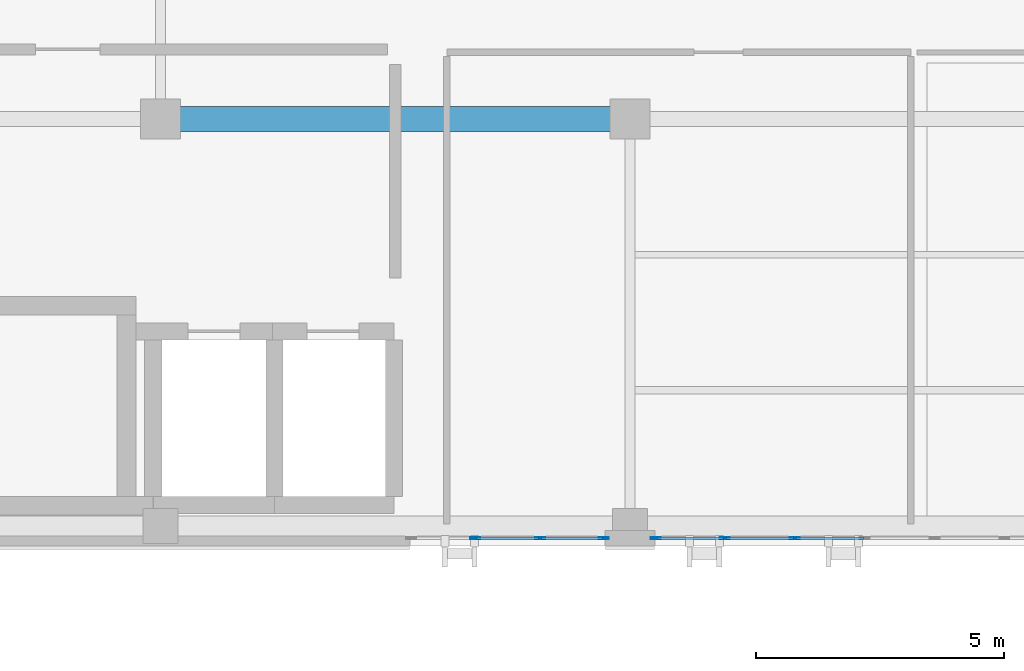
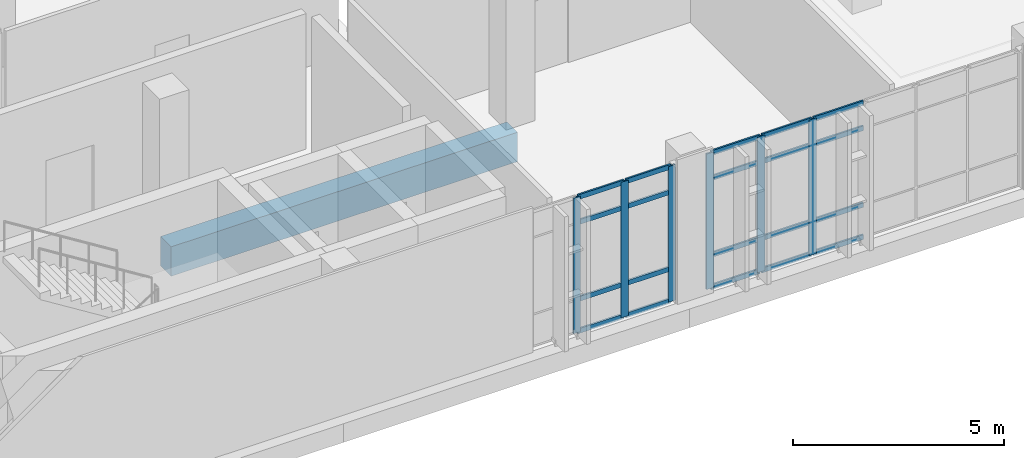
# One storey, part 11 of 193: 26 members, 1 beam, 2 elements without a shape of their own.
"""IFC4 building model written with IfcOpenShell, lengths in metres."""

from ifc_helpers import new_model, si_unit, direction, frame, origin, origin_2d, place, context, subcontext, project, spatial, rectangle, hollow_rectangle, extrude, material, layer, layer_set, material_profile, profile_set, type_object, element, aggregate, save


model = new_model("IFC4")

# Units and contexts
model_context = context("Model", 3, precision=1e-05, world=origin(), true_north=direction((0.0, 1.0)))
body_context = subcontext(model_context, "Body", "Model", "MODEL_VIEW")
ifc_project = project(units=[si_unit("LENGTHUNIT", "METRE"), si_unit("AREAUNIT", "SQUARE_METRE"), si_unit("VOLUMEUNIT", "CUBIC_METRE"), si_unit("PLANEANGLEUNIT", "RADIAN"), si_unit("MASSUNIT", "GRAM", prefix="KILO")], contexts=[model_context])

# Site, building, storey
site_placement = place(None, origin())
site = spatial("IfcSite", under=ifc_project, at=site_placement, CompositionType="ELEMENT")
building_placement = place(site_placement, origin())
building = spatial("IfcBuilding", under=site, at=building_placement, Name="Qalavern Law Courts", CompositionType="ELEMENT")
storey_placement = place(building_placement, frame((0.0, 0.0, 10.199951171875)))
storey = spatial("IfcBuildingStorey", under=building, at=storey_placement, Name="L02", CompositionType="ELEMENT", Elevation=10.199951171875)

# Curtain wall, members
ifc_material_1 = material(Name="Anodised aluminium and insulated glazing", Category="aluminium")
ifc_layer = layer(ifc_material_1, 0.18505859375)
ifc_layer_set = layer_set([ifc_layer], Name="Anodised aluminium and insulated glazing")
curtain_wall_type = type_object("IfcCurtainWallType", Name="ENV-CW-HALL", PredefinedType="USERDEFINED", material=ifc_layer_set)
curtain_wall_1_placement = place(storey_placement, origin())
curtain_wall_1 = element("IfcCurtainWall", 1, at=curtain_wall_1_placement, inside=storey, type_object=curtain_wall_type, Name="V2 unitised curtain wall L02 south 1", ObjectType="UNITISED CURTAIN WALL", PredefinedType="USERDEFINED")
ifc_material_2 = material(Name="Anodised aluminium", Category="aluminium")
ifc_material_profile_1 = material_profile(ifc_material_2, hollow_rectangle(XDim=0.048095703125, YDim=0.199951171875, WallThickness=0.00439453125, at=origin_2d()), Name="ALU MULLION 48x200")
ifc_profile_set_1 = profile_set([ifc_material_profile_1], Name="Anodised aluminium")
member_type_1 = type_object("IfcMemberType", Name="ENV-CWM-48x200", PredefinedType="MULLION", material=ifc_profile_set_1)
member_1_placement = place(storey_placement, frame((50.409423828125, 5.35498046875, 0.0), z_axis=(0.0, 0.0, 1.0), x_axis=(0.0, 1.0, 0.0)))
member_1 = element("IfcMember", 2, at=member_1_placement, type_object=member_type_1, Name="CW-02 mullion 2", PredefinedType="MULLION", context=body_context, shape_type="SweptSolid", body=[
    extrude(hollow_rectangle(XDim=0.048095703125, YDim=0.199951171875, WallThickness=0.00439453125, at=origin_2d()), origin(), (0.0, 0.0, 1.0), 3.9150390625),
])
member_2_placement = place(storey_placement, frame((51.718994140625, 5.35498046875, 0.0), z_axis=(0.0, 0.0, 1.0), x_axis=(0.0, 1.0, 0.0)))
member_2 = element("IfcMember", 3, at=member_2_placement, type_object=member_type_1, Name="CW-02 mullion 3", PredefinedType="MULLION", context=body_context, shape_type="SweptSolid", body=[
    extrude(hollow_rectangle(XDim=0.048095703125, YDim=0.199951171875, WallThickness=0.00439453125, at=origin_2d()), origin(), (0.0, 0.0, 1.0), 3.9150390625),
])
member_3_placement = place(storey_placement, frame((53.004638671875, 5.35498046875, 0.0), z_axis=(0.0, 0.0, 1.0), x_axis=(0.0, 1.0, 0.0)))
member_3 = element("IfcMember", 4, at=member_3_placement, type_object=member_type_1, Name="CW-02 mullion 4", PredefinedType="MULLION", context=body_context, shape_type="SweptSolid", body=[
    extrude(hollow_rectangle(XDim=0.048095703125, YDim=0.199951171875, WallThickness=0.00439453125, at=origin_2d()), origin(), (0.0, 0.0, 1.0), 3.9150390625),
])

curtain_wall_2_placement = place(storey_placement, origin())
curtain_wall_2 = element("IfcCurtainWall", 5, at=curtain_wall_2_placement, inside=storey, type_object=curtain_wall_type, Name="V2 unitised curtain wall L02 south 2", ObjectType="UNITISED CURTAIN WALL", PredefinedType="USERDEFINED")
member_4_placement = place(storey_placement, frame((54.052490234375, 5.35498046875, 0.0), z_axis=(0.0, 0.0, 1.0), x_axis=(0.0, 1.0, 0.0)))
member_4 = element("IfcMember", 6, at=member_4_placement, type_object=member_type_1, Name="CW-02 mullion 1", PredefinedType="MULLION", context=body_context, shape_type="SweptSolid", body=[
    extrude(hollow_rectangle(XDim=0.048095703125, YDim=0.199951171875, WallThickness=0.00439453125, at=origin_2d()), origin(), (0.0, 0.0, 1.0), 3.9150390625),
])
member_5_placement = place(storey_placement, frame((55.437744140625, 5.35498046875, 0.0), z_axis=(0.0, 0.0, 1.0), x_axis=(0.0, 1.0, 0.0)))
member_5 = element("IfcMember", 7, at=member_5_placement, type_object=member_type_1, Name="CW-02 mullion 2", PredefinedType="MULLION", context=body_context, shape_type="SweptSolid", body=[
    extrude(hollow_rectangle(XDim=0.048095703125, YDim=0.199951171875, WallThickness=0.00439453125, at=origin_2d()), origin(), (0.0, 0.0, 1.0), 3.9150390625),
])
member_6_placement = place(storey_placement, frame((56.8466796875, 5.35498046875, 0.0), z_axis=(0.0, 0.0, 1.0), x_axis=(0.0, 1.0, 0.0)))
member_6 = element("IfcMember", 8, at=member_6_placement, type_object=member_type_1, Name="CW-02 mullion 3", PredefinedType="MULLION", context=body_context, shape_type="SweptSolid", body=[
    extrude(hollow_rectangle(XDim=0.048095703125, YDim=0.199951171875, WallThickness=0.00439453125, at=origin_2d()), origin(), (0.0, 0.0, 1.0), 3.9150390625),
])

# Member
ifc_material_profile_2 = material_profile(ifc_material_2, hollow_rectangle(XDim=0.048095703125, YDim=0.139892578125, WallThickness=0.00390625, at=origin_2d()), Name="ALU TRANSOM 48x140")
ifc_profile_set_2 = profile_set([ifc_material_profile_2], Name="Anodised aluminium")
member_type_2 = type_object("IfcMemberType", Name="ENV-CWT-48x140", PredefinedType="USERDEFINED", material=ifc_profile_set_2)
member_7_placement = place(storey_placement, frame((50.43359375, 5.35498046875, 0.024169921875), z_axis=(1.0, 0.0, 0.0), x_axis=(0.0, 1.0, 0.0)))
member_7 = element("IfcMember", 9, at=member_7_placement, type_object=member_type_2, Name="CW-02 transom 2.1", ObjectType="TRANSOM", PredefinedType="USERDEFINED", context=body_context, shape_type="SweptSolid", body=[
    extrude(hollow_rectangle(XDim=0.048095703125, YDim=0.139892578125, WallThickness=0.00390625, at=origin_2d()), origin(), (0.0, 0.0, 1.0), 1.261474609375),
])

member_8_placement = place(storey_placement, frame((50.43359375, 5.35498046875, 0.949951171875), z_axis=(1.0, 0.0, 0.0), x_axis=(0.0, 1.0, 0.0)))
member_8 = element("IfcMember", 10, at=member_8_placement, type_object=member_type_2, Name="CW-02 transom 2.2", ObjectType="TRANSOM", PredefinedType="USERDEFINED", context=body_context, shape_type="SweptSolid", body=[
    extrude(hollow_rectangle(XDim=0.048095703125, YDim=0.139892578125, WallThickness=0.00390625, at=origin_2d()), origin(), (0.0, 0.0, 1.0), 1.261474609375),
])

member_9_placement = place(storey_placement, frame((50.43359375, 5.35498046875, 3.1650390625), z_axis=(1.0, 0.0, 0.0), x_axis=(0.0, 1.0, 0.0)))
member_9 = element("IfcMember", 11, at=member_9_placement, type_object=member_type_2, Name="CW-02 transom 2.3", ObjectType="TRANSOM", PredefinedType="USERDEFINED", context=body_context, shape_type="SweptSolid", body=[
    extrude(hollow_rectangle(XDim=0.048095703125, YDim=0.139892578125, WallThickness=0.00390625, at=origin_2d()), origin(), (0.0, 0.0, 1.0), 1.261474609375),
])

member_10_placement = place(storey_placement, frame((50.43359375, 5.35498046875, 3.89111328125), z_axis=(1.0, 0.0, 0.0), x_axis=(0.0, 1.0, 0.0)))
member_10 = element("IfcMember", 12, at=member_10_placement, type_object=member_type_2, Name="CW-02 transom 2.4", ObjectType="TRANSOM", PredefinedType="USERDEFINED", context=body_context, shape_type="SweptSolid", body=[
    extrude(hollow_rectangle(XDim=0.048095703125, YDim=0.139892578125, WallThickness=0.00390625, at=origin_2d()), origin(), (0.0, 0.0, 1.0), 1.261474609375),
])

member_11_placement = place(storey_placement, frame((51.7431640625, 5.35498046875, 0.024169921875), z_axis=(1.0, 0.0, 0.0), x_axis=(0.0, 1.0, 0.0)))
member_11 = element("IfcMember", 13, at=member_11_placement, type_object=member_type_2, Name="CW-02 transom 3.1", ObjectType="TRANSOM", PredefinedType="USERDEFINED", context=body_context, shape_type="SweptSolid", body=[
    extrude(hollow_rectangle(XDim=0.048095703125, YDim=0.139892578125, WallThickness=0.00390625, at=origin_2d()), origin(), (0.0, 0.0, 1.0), 1.237548828125),
])

member_12_placement = place(storey_placement, frame((51.7431640625, 5.35498046875, 0.949951171875), z_axis=(1.0, 0.0, 0.0), x_axis=(0.0, 1.0, 0.0)))
member_12 = element("IfcMember", 14, at=member_12_placement, type_object=member_type_2, Name="CW-02 transom 3.2", ObjectType="TRANSOM", PredefinedType="USERDEFINED", context=body_context, shape_type="SweptSolid", body=[
    extrude(hollow_rectangle(XDim=0.048095703125, YDim=0.139892578125, WallThickness=0.00390625, at=origin_2d()), origin(), (0.0, 0.0, 1.0), 1.237548828125),
])

member_13_placement = place(storey_placement, frame((51.7431640625, 5.35498046875, 3.1650390625), z_axis=(1.0, 0.0, 0.0), x_axis=(0.0, 1.0, 0.0)))
member_13 = element("IfcMember", 15, at=member_13_placement, type_object=member_type_2, Name="CW-02 transom 3.3", ObjectType="TRANSOM", PredefinedType="USERDEFINED", context=body_context, shape_type="SweptSolid", body=[
    extrude(hollow_rectangle(XDim=0.048095703125, YDim=0.139892578125, WallThickness=0.00390625, at=origin_2d()), origin(), (0.0, 0.0, 1.0), 1.237548828125),
])

member_14_placement = place(storey_placement, frame((51.7431640625, 5.35498046875, 3.89111328125), z_axis=(1.0, 0.0, 0.0), x_axis=(0.0, 1.0, 0.0)))
member_14 = element("IfcMember", 16, at=member_14_placement, type_object=member_type_2, Name="CW-02 transom 3.4", ObjectType="TRANSOM", PredefinedType="USERDEFINED", context=body_context, shape_type="SweptSolid", body=[
    extrude(hollow_rectangle(XDim=0.048095703125, YDim=0.139892578125, WallThickness=0.00390625, at=origin_2d()), origin(), (0.0, 0.0, 1.0), 1.237548828125),
])

aggregate(curtain_wall_1, [member_1, member_2, member_3, member_7, member_8, member_9, member_10, member_11, member_12, member_13, member_14])

member_15_placement = place(storey_placement, frame((54.07666015625, 5.35498046875, 0.024169921875), z_axis=(1.0, 0.0, 0.0), x_axis=(0.0, 1.0, 0.0)))
member_15 = element("IfcMember", 17, at=member_15_placement, type_object=member_type_2, Name="CW-02 transom 1.1", ObjectType="TRANSOM", PredefinedType="USERDEFINED", context=body_context, shape_type="SweptSolid", body=[
    extrude(hollow_rectangle(XDim=0.048095703125, YDim=0.139892578125, WallThickness=0.00390625, at=origin_2d()), origin(), (0.0, 0.0, 1.0), 1.3369140625),
])

member_16_placement = place(storey_placement, frame((54.07666015625, 5.35498046875, 0.949951171875), z_axis=(1.0, 0.0, 0.0), x_axis=(0.0, 1.0, 0.0)))
member_16 = element("IfcMember", 18, at=member_16_placement, type_object=member_type_2, Name="CW-02 transom 1.2", ObjectType="TRANSOM", PredefinedType="USERDEFINED", context=body_context, shape_type="SweptSolid", body=[
    extrude(hollow_rectangle(XDim=0.048095703125, YDim=0.139892578125, WallThickness=0.00390625, at=origin_2d()), origin(), (0.0, 0.0, 1.0), 1.3369140625),
])

member_17_placement = place(storey_placement, frame((54.07666015625, 5.35498046875, 3.1650390625), z_axis=(1.0, 0.0, 0.0), x_axis=(0.0, 1.0, 0.0)))
member_17 = element("IfcMember", 19, at=member_17_placement, type_object=member_type_2, Name="CW-02 transom 1.3", ObjectType="TRANSOM", PredefinedType="USERDEFINED", context=body_context, shape_type="SweptSolid", body=[
    extrude(hollow_rectangle(XDim=0.048095703125, YDim=0.139892578125, WallThickness=0.00390625, at=origin_2d()), origin(), (0.0, 0.0, 1.0), 1.3369140625),
])

member_18_placement = place(storey_placement, frame((54.07666015625, 5.35498046875, 3.89111328125), z_axis=(1.0, 0.0, 0.0), x_axis=(0.0, 1.0, 0.0)))
member_18 = element("IfcMember", 20, at=member_18_placement, type_object=member_type_2, Name="CW-02 transom 1.4", ObjectType="TRANSOM", PredefinedType="USERDEFINED", context=body_context, shape_type="SweptSolid", body=[
    extrude(hollow_rectangle(XDim=0.048095703125, YDim=0.139892578125, WallThickness=0.00390625, at=origin_2d()), origin(), (0.0, 0.0, 1.0), 1.3369140625),
])

member_19_placement = place(storey_placement, frame((55.461669921875, 5.35498046875, 0.024169921875), z_axis=(1.0, 0.0, 0.0), x_axis=(0.0, 1.0, 0.0)))
member_19 = element("IfcMember", 21, at=member_19_placement, type_object=member_type_2, Name="CW-02 transom 2.1", ObjectType="TRANSOM", PredefinedType="USERDEFINED", context=body_context, shape_type="SweptSolid", body=[
    extrude(hollow_rectangle(XDim=0.048095703125, YDim=0.139892578125, WallThickness=0.00390625, at=origin_2d()), origin(), (0.0, 0.0, 1.0), 1.361083984375),
])

member_20_placement = place(storey_placement, frame((55.461669921875, 5.35498046875, 0.949951171875), z_axis=(1.0, 0.0, 0.0), x_axis=(0.0, 1.0, 0.0)))
member_20 = element("IfcMember", 22, at=member_20_placement, type_object=member_type_2, Name="CW-02 transom 2.2", ObjectType="TRANSOM", PredefinedType="USERDEFINED", context=body_context, shape_type="SweptSolid", body=[
    extrude(hollow_rectangle(XDim=0.048095703125, YDim=0.139892578125, WallThickness=0.00390625, at=origin_2d()), origin(), (0.0, 0.0, 1.0), 1.361083984375),
])

member_21_placement = place(storey_placement, frame((55.461669921875, 5.35498046875, 3.1650390625), z_axis=(1.0, 0.0, 0.0), x_axis=(0.0, 1.0, 0.0)))
member_21 = element("IfcMember", 23, at=member_21_placement, type_object=member_type_2, Name="CW-02 transom 2.3", ObjectType="TRANSOM", PredefinedType="USERDEFINED", context=body_context, shape_type="SweptSolid", body=[
    extrude(hollow_rectangle(XDim=0.048095703125, YDim=0.139892578125, WallThickness=0.00390625, at=origin_2d()), origin(), (0.0, 0.0, 1.0), 1.361083984375),
])

member_22_placement = place(storey_placement, frame((55.461669921875, 5.35498046875, 3.89111328125), z_axis=(1.0, 0.0, 0.0), x_axis=(0.0, 1.0, 0.0)))
member_22 = element("IfcMember", 24, at=member_22_placement, type_object=member_type_2, Name="CW-02 transom 2.4", ObjectType="TRANSOM", PredefinedType="USERDEFINED", context=body_context, shape_type="SweptSolid", body=[
    extrude(hollow_rectangle(XDim=0.048095703125, YDim=0.139892578125, WallThickness=0.00390625, at=origin_2d()), origin(), (0.0, 0.0, 1.0), 1.361083984375),
])

member_23_placement = place(storey_placement, frame((56.87060546875, 5.35498046875, 0.024169921875), z_axis=(1.0, 0.0, 0.0), x_axis=(0.0, 1.0, 0.0)))
member_23 = element("IfcMember", 25, at=member_23_placement, type_object=member_type_2, Name="CW-02 transom 3.1", ObjectType="TRANSOM", PredefinedType="USERDEFINED", context=body_context, shape_type="SweptSolid", body=[
    extrude(hollow_rectangle(XDim=0.048095703125, YDim=0.139892578125, WallThickness=0.00390625, at=origin_2d()), origin(), (0.0, 0.0, 1.0), 1.361083984375),
])

member_24_placement = place(storey_placement, frame((56.87060546875, 5.35498046875, 0.949951171875), z_axis=(1.0, 0.0, 0.0), x_axis=(0.0, 1.0, 0.0)))
member_24 = element("IfcMember", 26, at=member_24_placement, type_object=member_type_2, Name="CW-02 transom 3.2", ObjectType="TRANSOM", PredefinedType="USERDEFINED", context=body_context, shape_type="SweptSolid", body=[
    extrude(hollow_rectangle(XDim=0.048095703125, YDim=0.139892578125, WallThickness=0.00390625, at=origin_2d()), origin(), (0.0, 0.0, 1.0), 1.361083984375),
])

member_25_placement = place(storey_placement, frame((56.87060546875, 5.35498046875, 3.1650390625), z_axis=(1.0, 0.0, 0.0), x_axis=(0.0, 1.0, 0.0)))
member_25 = element("IfcMember", 27, at=member_25_placement, type_object=member_type_2, Name="CW-02 transom 3.3", ObjectType="TRANSOM", PredefinedType="USERDEFINED", context=body_context, shape_type="SweptSolid", body=[
    extrude(hollow_rectangle(XDim=0.048095703125, YDim=0.139892578125, WallThickness=0.00390625, at=origin_2d()), origin(), (0.0, 0.0, 1.0), 1.361083984375),
])

member_26_placement = place(storey_placement, frame((56.87060546875, 5.35498046875, 3.89111328125), z_axis=(1.0, 0.0, 0.0), x_axis=(0.0, 1.0, 0.0)))
member_26 = element("IfcMember", 28, at=member_26_placement, type_object=member_type_2, Name="CW-02 transom 3.4", ObjectType="TRANSOM", PredefinedType="USERDEFINED", context=body_context, shape_type="SweptSolid", body=[
    extrude(hollow_rectangle(XDim=0.048095703125, YDim=0.139892578125, WallThickness=0.00390625, at=origin_2d()), origin(), (0.0, 0.0, 1.0), 1.361083984375),
])

aggregate(curtain_wall_2, [member_4, member_5, member_6, member_15, member_16, member_17, member_18, member_19, member_20, member_21, member_22, member_23, member_24, member_25, member_26])

# Beam
ifc_material_3 = material(Name="Concrete C40/50", Category="concrete")
ifc_material_profile_3 = material_profile(ifc_material_3, rectangle(XDim=0.5, YDim=0.85009765625, at=origin_2d()), Name="RC 500x850")
ifc_profile_set_3 = profile_set([ifc_material_profile_3], Name="Concrete C40/50")
beam_type = type_object("IfcBeamType", Name="STR-BM-RC500x850", PredefinedType="BEAM", material=ifc_profile_set_3)
beam_placement = place(storey_placement, frame((44.07421875, 13.800048828125, -0.71484375), z_axis=(1.0, 0.0, 0.0), x_axis=(0.0, 1.0, 0.0)))
element("IfcBeam", 29, at=beam_placement, inside=storey, type_object=beam_type, Name="V2 X-beam 2-2 L02", PredefinedType="BEAM", context=body_context, shape_type="SweptSolid", body=[
    extrude(rectangle(XDim=0.5, YDim=0.85009765625, at=origin_2d()), origin(), (0.0, 0.0, 1.0), 9.454345703125),
])

save(model, "model.ifc")
